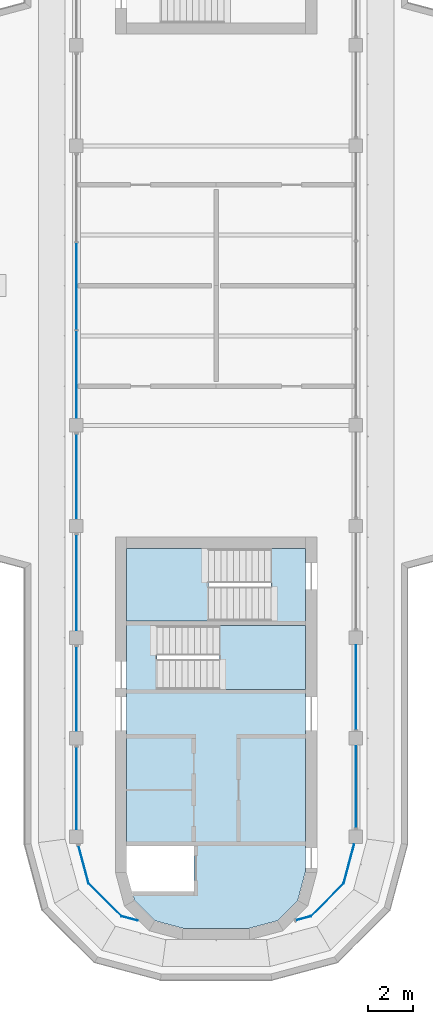
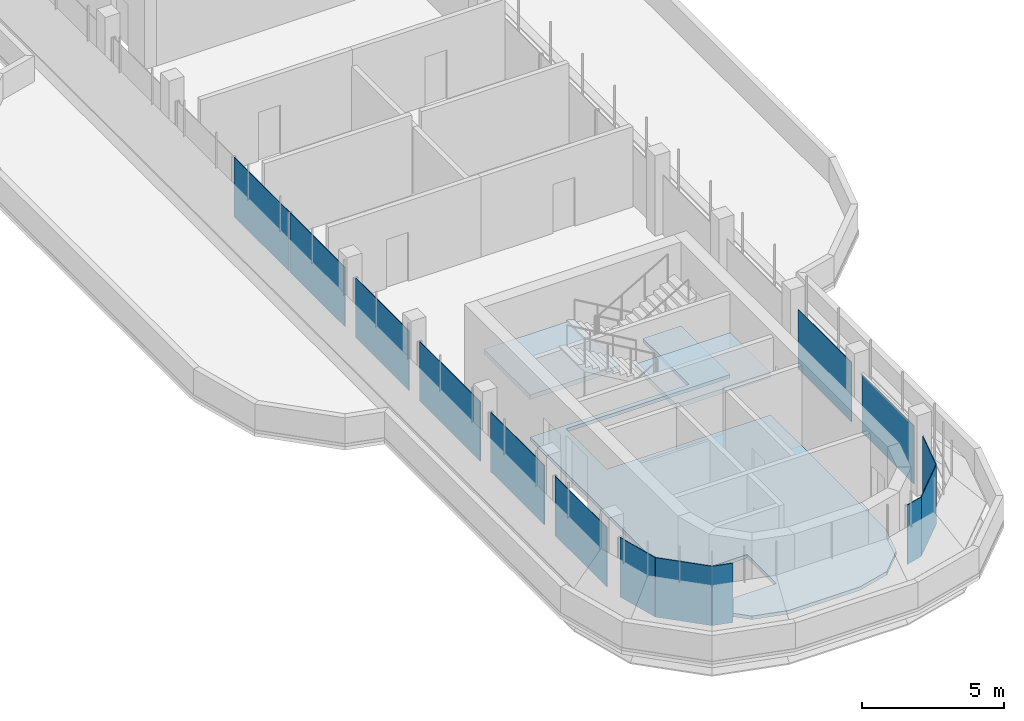
# One storey, part 5 of 12: 14 plates, 3 slabs, 10 elements without a shape of their own.
"""IFC4 building model written with IfcOpenShell, lengths in metres."""

from ifc_helpers import new_model, si_unit, direction, frame, origin, place, context, subcontext, project, spatial, polyline, outline, extrude, source, transform, mapped, material, layer, layer_set, type_object, element, aggregate, save


model = new_model("IFC4")

# Units and contexts
model_context = context("Model", 3, precision=1e-05, world=origin(), true_north=direction((0.0, 1.0)))
body_context = subcontext(model_context, "Body", "Model", "MODEL_VIEW")
ifc_project = project(units=[si_unit("LENGTHUNIT", "METRE"), si_unit("AREAUNIT", "SQUARE_METRE"), si_unit("VOLUMEUNIT", "CUBIC_METRE"), si_unit("PLANEANGLEUNIT", "RADIAN"), si_unit("MASSUNIT", "GRAM", prefix="KILO")], contexts=[model_context])

# Site, building, storey
site_placement = place(None, origin())
site = spatial("IfcSite", under=ifc_project, at=site_placement, CompositionType="ELEMENT")
building_placement = place(site_placement, origin())
building = spatial("IfcBuilding", under=site, at=building_placement, Name="Zarbagh Exchange Tower", CompositionType="ELEMENT")
storey_placement = place(building_placement, frame((0.0, 0.0, 306.0)))
storey = spatial("IfcBuildingStorey", under=building, at=storey_placement, Name="L75", CompositionType="ELEMENT", Elevation=306.0)

# Slab
ifc_material_1 = material(Name="Concrete C40/50", Category="concrete")
ifc_layer_1 = layer(ifc_material_1, 0.14990234375)
ifc_layer_set_1 = layer_set([ifc_layer_1], Name="Core floor slab 150 C40/50")
slab_type_1 = type_object("IfcSlabType", Name="Core floor slab 150 C40/50", PredefinedType="FLOOR", material=ifc_layer_set_1)
slab_1_placement = place(storey_placement, frame((0.0, 0.0, -0.14990234375)))
element("IfcSlab", 1, at=slab_1_placement, inside=storey, type_object=slab_type_1, Name="S17 core S", PredefinedType="FLOOR", context=body_context, shape_type="SweptSolid", body=[
    extrude(outline(polyline([(-2.7412109375, -28.39990234375), (-3.64990234375, -27.4912109375), (-3.857666015625, -26.715087890625), (-3.754638671875, -27.10009765625), (-1.0, -27.10009765625), (-1.0, -25.050048828125), (-4.0, -25.050048828125), (-4.0, -15.0), (2.449951171875, -15.0), (2.449951171875, -11.75), (4.0, -11.75), (4.0, -15.199951171875), (-2.64990234375, -15.199951171875), (-2.64990234375, -18.050048828125), (4.0, -18.050048828125), (4.0, -26.18408203125), (3.64990234375, -27.4912109375), (2.7412109375, -28.39990234375), (1.43408203125, -28.75), (-1.43408203125, -28.75), (-2.7412109375, -28.39990234375)])), origin(), (0.0, 0.0, 1.0), 0.14990234375),
])

# Stair, slab
stair_type = type_object("IfcStairType", Name="Exit stair two-flight half-turn", PredefinedType="HALF_TURN_STAIR", material=ifc_material_1)
stair_1_placement = place(storey_placement, origin())
stair_1 = element("IfcStair", 2, at=stair_1_placement, inside=storey, type_object=stair_type, Name="exit stair ST3", PredefinedType="HALF_TURN_STAIR")
ifc_layer_2 = layer(ifc_material_1, 0.199951171875)
ifc_layer_set_2 = layer_set([ifc_layer_2], Name="Stair landing 200 mm")
slab_type_2 = type_object("IfcSlabType", Name="Stair landing 200 mm", PredefinedType="LANDING", material=ifc_layer_set_2)
slab_2_placement = place(storey_placement, frame((0.0, 0.0, 1.60009765625)))
slab_2 = element("IfcSlab", 3, at=slab_2_placement, type_object=slab_type_2, Name="ST3 landing 1", PredefinedType="LANDING", context=body_context, shape_type="SweptSolid", body=[
    extrude(outline(polyline([(0.14990234375, -18.050048828125), (4.0, -18.050048828125), (4.0, -15.199951171875), (0.14990234375, -15.199951171875), (0.14990234375, -18.050048828125)])), origin(), (0.0, 0.0, 1.0), 0.199951171875),
])
aggregate(stair_1, [slab_2])

stair_2_placement = place(storey_placement, origin())
stair_2 = element("IfcStair", 4, at=stair_2_placement, inside=storey, type_object=stair_type, Name="exit stair ST4", PredefinedType="HALF_TURN_STAIR")
slab_3_placement = place(storey_placement, frame((0.0, 0.0, 1.60009765625)))
slab_3 = element("IfcSlab", 5, at=slab_3_placement, type_object=slab_type_2, Name="ST4 landing 1", PredefinedType="LANDING", context=body_context, shape_type="SweptSolid", body=[
    extrude(outline(polyline([(-0.35009765625, -11.75), (-4.0, -11.75), (-4.0, -15.0), (-0.35009765625, -15.0), (-0.35009765625, -11.75)])), origin(), (0.0, 0.0, 1.0), 0.199951171875),
])
aggregate(stair_2, [slab_3])

# Curtain wall, plate
ifc_material_2 = material(Name="Anodised aluminium frame and glazing", Category="aluminium")
curtain_wall_type = type_object("IfcCurtainWallType", Name="CWF Crown tier glazing", PredefinedType="NOTDEFINED", material=ifc_material_2)
curtain_wall_1_placement = place(storey_placement, origin())
curtain_wall_1 = element("IfcCurtainWall", 6, at=curtain_wall_1_placement, inside=storey, type_object=curtain_wall_type, Name="CWF01 curtain wall", PredefinedType="NOTDEFINED")
ifc_material_3 = material(Name="Low-e double glazed unit, 6+12+6 mm")
ifc_layer_3 = layer(ifc_material_3, 0.028076171875)
ifc_layer_set_3 = layer_set([ifc_layer_3], Name="PAF Glazing panel, Low-e double glazed unit, 6+12+6 mm")
plate_type = type_object("IfcPlateType", Name="PAF Glazing panel, Low-e double glazed unit, 6+12+6 mm", PredefinedType="CURTAIN_PANEL", material=ifc_layer_set_3)
shared_shape_1 = source(origin(), body_context, "Body", "SweptSolid", [
    extrude(outline(polyline([(0.0, -0.013916015625), (0.697021484375, -0.013916015625), (0.697021484375, 0.013916015625), (0.0, 0.013916015625), (0.0, -0.013916015625)])), origin(), (0.0, 0.0, 1.0), 2.550048828125),
])
placement = place(storey_placement, origin())
plate_1 = element("IfcPlate", 7, at=placement, type_object=plate_type, Name="CWF01 glazing panel 1.1", PredefinedType="CURTAIN_PANEL", context=body_context, shape_type="MappedRepresentation", body=[
    mapped(shared_shape_1, transform((3.56787109375, -28.379150390625, 0.0), x_axis=(0.965924289636, 0.258824779902, 0.0), y_axis=(-0.258824779902, 0.965924289636, 0.0), z_axis=(0.0, 0.0, 1.0))),
])
aggregate(curtain_wall_1, [plate_1])

curtain_wall_2_placement = place(storey_placement, origin())
curtain_wall_2 = element("IfcCurtainWall", 8, at=curtain_wall_2_placement, inside=storey, type_object=curtain_wall_type, Name="CWF02 curtain wall", PredefinedType="NOTDEFINED")
shared_shape_2 = source(origin(), body_context, "Body", "SweptSolid", [
    extrude(outline(polyline([(0.0, -0.013916015625), (2.061279296875, -0.013916015625), (2.061279296875, 0.013916015625), (0.0, 0.013916015625), (0.0, -0.013916015625)])), origin(), (0.0, 0.0, 1.0), 2.550048828125),
])
plate_2 = element("IfcPlate", 9, at=placement, type_object=plate_type, Name="CWF02 glazing panel 1.1", PredefinedType="CURTAIN_PANEL", context=body_context, shape_type="MappedRepresentation", body=[
    mapped(shared_shape_2, transform((4.2412109375, -28.19873046875, 0.0), x_axis=(0.707106781187, 0.707106781187, 0.0), y_axis=(-0.707106781187, 0.707106781187, 0.0), z_axis=(0.0, 0.0, 1.0))),
])
aggregate(curtain_wall_2, [plate_2])

curtain_wall_3_placement = place(storey_placement, origin())
curtain_wall_3 = element("IfcCurtainWall", 10, at=curtain_wall_3_placement, inside=storey, type_object=curtain_wall_type, Name="CWF45 curtain wall", PredefinedType="NOTDEFINED")
plate_3 = element("IfcPlate", 11, at=placement, type_object=plate_type, Name="CWF45 glazing panel 1.1", PredefinedType="CURTAIN_PANEL", context=body_context, shape_type="MappedRepresentation", body=[
    mapped(shared_shape_2, transform((-5.69873046875, -26.7412109375, 0.0), x_axis=(0.707106781187, -0.707106781187, 0.0), y_axis=(0.707106781187, 0.707106781187, 0.0), z_axis=(0.0, 0.0, 1.0))),
])
aggregate(curtain_wall_3, [plate_3])

curtain_wall_4_placement = place(storey_placement, origin())
curtain_wall_4 = element("IfcCurtainWall", 12, at=curtain_wall_4_placement, inside=storey, type_object=curtain_wall_type, Name="CWF03 curtain wall", PredefinedType="NOTDEFINED")
shared_shape_3 = source(origin(), body_context, "Body", "SweptSolid", [
    extrude(outline(polyline([(0.0, -0.013916015625), (1.81298828125, -0.013916015625), (1.81298828125, 0.013916015625), (0.0, 0.013916015625), (0.0, -0.013916015625)])), origin(), (0.0, 0.0, 1.0), 2.550048828125),
])
plate_4 = element("IfcPlate", 13, at=placement, type_object=plate_type, Name="CWF03 glazing panel 1.1", PredefinedType="CURTAIN_PANEL", context=body_context, shape_type="MappedRepresentation", body=[
    mapped(shared_shape_3, transform((5.69873046875, -26.7412109375, 0.0), x_axis=(0.258824779902, 0.965924289636, 0.0), y_axis=(-0.965924289636, 0.258824779902, 0.0), z_axis=(0.0, 0.0, 1.0))),
])
aggregate(curtain_wall_4, [plate_4])

# Curtain wall, plates
curtain_wall_5_placement = place(storey_placement, origin())
curtain_wall_5 = element("IfcCurtainWall", 14, at=curtain_wall_5_placement, inside=storey, type_object=curtain_wall_type, Name="CWF49 curtain wall", PredefinedType="NOTDEFINED")
shared_shape_4 = source(origin(), body_context, "Body", "SweptSolid", [
    extrude(outline(polyline([(0.0, -0.013916015625), (3.659912109375, -0.013916015625), (3.659912109375, 0.013916015625), (0.0, 0.013916015625), (0.0, -0.013916015625)])), origin(), (0.0, 0.0, 1.0), 2.489990234375),
])
plate_5 = element("IfcPlate", 15, at=placement, type_object=plate_type, Name="CWF49 glazing panel 1.1", PredefinedType="CURTAIN_PANEL", context=body_context, shape_type="MappedRepresentation", body=[
    mapped(shared_shape_4, transform((6.25, -24.25, 0.0), x_axis=(0.0, 1.0, 0.0), y_axis=(-1.0, 0.0, 0.0), z_axis=(0.0, 0.0, 1.0))),
])
shared_shape_5 = source(origin(), body_context, "Body", "SweptSolid", [
    extrude(outline(polyline([(0.0, -0.013916015625), (3.760009765625, -0.013916015625), (3.760009765625, 0.013916015625), (0.0, 0.013916015625), (0.0, -0.013916015625)])), origin(), (0.0, 0.0, 1.0), 2.550048828125),
])
plate_6 = element("IfcPlate", 16, at=placement, type_object=plate_type, Name="CWF49 glazing panel 2.1", PredefinedType="CURTAIN_PANEL", context=body_context, shape_type="MappedRepresentation", body=[
    mapped(shared_shape_5, transform((6.25, -19.849853515625, 0.0), x_axis=(0.0, 1.0, 0.0), y_axis=(-1.0, 0.0, 0.0), z_axis=(0.0, 0.0, 1.0))),
])
aggregate(curtain_wall_5, [plate_5, plate_6])

curtain_wall_6_placement = place(storey_placement, origin())
curtain_wall_6 = element("IfcCurtainWall", 17, at=curtain_wall_6_placement, inside=storey, type_object=curtain_wall_type, Name="CWF50 curtain wall", PredefinedType="NOTDEFINED")
plate_7 = element("IfcPlate", 18, at=placement, type_object=plate_type, Name="CWF50 glazing panel 6.1", PredefinedType="CURTAIN_PANEL", context=body_context, shape_type="MappedRepresentation", body=[
    mapped(shared_shape_5, transform((-6.25, -6.650146484375, 0.0), x_axis=(0.0, -1.0, 0.0), y_axis=(1.0, 0.0, 0.0), z_axis=(0.0, 0.0, 1.0))),
])
plate_8 = element("IfcPlate", 19, at=placement, type_object=plate_type, Name="CWF50 glazing panel 8.1", PredefinedType="CURTAIN_PANEL", context=body_context, shape_type="MappedRepresentation", body=[
    mapped(shared_shape_5, transform((-6.25, -16.150146484375, 0.0), x_axis=(0.0, -1.0, 0.0), y_axis=(1.0, 0.0, 0.0), z_axis=(0.0, 0.0, 1.0))),
])
shared_shape_6 = source(origin(), body_context, "Body", "SweptSolid", [
    extrude(outline(polyline([(0.0, -0.013916015625), (4.260009765625, -0.013916015625), (4.260009765625, 0.013916015625), (0.0, 0.013916015625), (0.0, -0.013916015625)])), origin(), (0.0, 0.0, 1.0), 2.550048828125),
])
plate_9 = element("IfcPlate", 20, at=placement, type_object=plate_type, Name="CWF50 glazing panel 7.1", PredefinedType="CURTAIN_PANEL", context=body_context, shape_type="MappedRepresentation", body=[
    mapped(shared_shape_6, transform((-6.25, -11.150146484375, 0.0), x_axis=(0.0, -1.0, 0.0), y_axis=(1.0, 0.0, 0.0), z_axis=(0.0, 0.0, 1.0))),
])
shared_shape_7 = source(origin(), body_context, "Body", "SweptSolid", [
    extrude(outline(polyline([(0.0, -0.013916015625), (3.659912109375, -0.013916015625), (3.659912109375, 0.013916015625), (0.0, 0.013916015625), (0.0, -0.013916015625)])), origin(), (0.0, 0.0, 1.0), 2.550048828125),
])
plate_10 = element("IfcPlate", 21, at=placement, type_object=plate_type, Name="CWF50 glazing panel 9.1", PredefinedType="CURTAIN_PANEL", context=body_context, shape_type="MappedRepresentation", body=[
    mapped(shared_shape_7, transform((-6.25, -20.650146484375, 0.0), x_axis=(0.0, -1.0, 0.0), y_axis=(1.0, 0.0, 0.0), z_axis=(0.0, 0.0, 1.0))),
])

# Curtain wall, plate
curtain_wall_7_placement = place(storey_placement, origin())
curtain_wall_7 = element("IfcCurtainWall", 22, at=curtain_wall_7_placement, inside=storey, type_object=curtain_wall_type, Name="CWF44 curtain wall", PredefinedType="NOTDEFINED")
shared_shape_8 = source(origin(), body_context, "Body", "SweptSolid", [
    extrude(outline(polyline([(0.0, -0.013916015625), (1.7529296875, -0.013916015625), (1.7529296875, 0.013916015625), (0.0, 0.013916015625), (0.0, -0.013916015625)])), origin(), (0.0, 0.0, 1.0), 2.550048828125),
])
plate_11 = element("IfcPlate", 23, at=placement, type_object=plate_type, Name="CWF44 glazing panel 1.1", PredefinedType="CURTAIN_PANEL", context=body_context, shape_type="MappedRepresentation", body=[
    mapped(shared_shape_8, transform((-6.152587890625, -25.0478515625, 0.0), x_axis=(0.258824779902, -0.965924289636, 0.0), y_axis=(0.965924289636, 0.258824779902, 0.0), z_axis=(0.0, 0.0, 1.0))),
])
aggregate(curtain_wall_7, [plate_11])

curtain_wall_8_placement = place(storey_placement, origin())
curtain_wall_8 = element("IfcCurtainWall", 24, at=curtain_wall_8_placement, inside=storey, type_object=curtain_wall_type, Name="CWF46 curtain wall", PredefinedType="NOTDEFINED")
shared_shape_9 = source(origin(), body_context, "Body", "SweptSolid", [
    extrude(outline(polyline([(0.0, -0.013916015625), (0.757080078125, -0.013916015625), (0.757080078125, 0.013916015625), (0.0, 0.013916015625), (0.0, -0.013916015625)])), origin(), (0.0, 0.0, 1.0), 2.550048828125),
])
plate_12 = element("IfcPlate", 25, at=placement, type_object=plate_type, Name="CWF46 glazing panel 1.1", PredefinedType="CURTAIN_PANEL", context=body_context, shape_type="MappedRepresentation", body=[
    mapped(shared_shape_9, transform((-4.2412109375, -28.19873046875, 0.0), x_axis=(0.965924289636, -0.258824779902, 0.0), y_axis=(0.258824779902, 0.965924289636, 0.0), z_axis=(0.0, 0.0, 1.0))),
])
aggregate(curtain_wall_8, [plate_12])

# Plate
shared_shape_10 = source(origin(), body_context, "Body", "SweptSolid", [
    extrude(outline(polyline([(0.0, -0.013916015625), (3.8798828125, -0.013916015625), (3.8798828125, 0.013916015625), (0.0, 0.013916015625), (0.0, -0.013916015625)])), origin(), (0.0, 0.0, 1.0), 2.550048828125),
])
plate_13 = element("IfcPlate", 26, at=placement, type_object=plate_type, Name="CWF50 glazing panel 5.2", PredefinedType="CURTAIN_PANEL", context=body_context, shape_type="MappedRepresentation", body=[
    mapped(shared_shape_10, transform((-6.25, 1.909912109375, 0.0), x_axis=(0.0, -1.0, 0.0), y_axis=(1.0, 0.0, 0.0), z_axis=(0.0, 0.0, 1.0))),
])

plate_14 = element("IfcPlate", 27, at=placement, type_object=plate_type, Name="CWF50 glazing panel 5.3", PredefinedType="CURTAIN_PANEL", context=body_context, shape_type="MappedRepresentation", body=[
    mapped(shared_shape_10, transform((-6.25, -2.030029296875, 0.0), x_axis=(0.0, -1.0, 0.0), y_axis=(1.0, 0.0, 0.0), z_axis=(0.0, 0.0, 1.0))),
])

aggregate(curtain_wall_6, [plate_13, plate_14, plate_7, plate_9, plate_8, plate_10])

save(model, "model.ifc")
